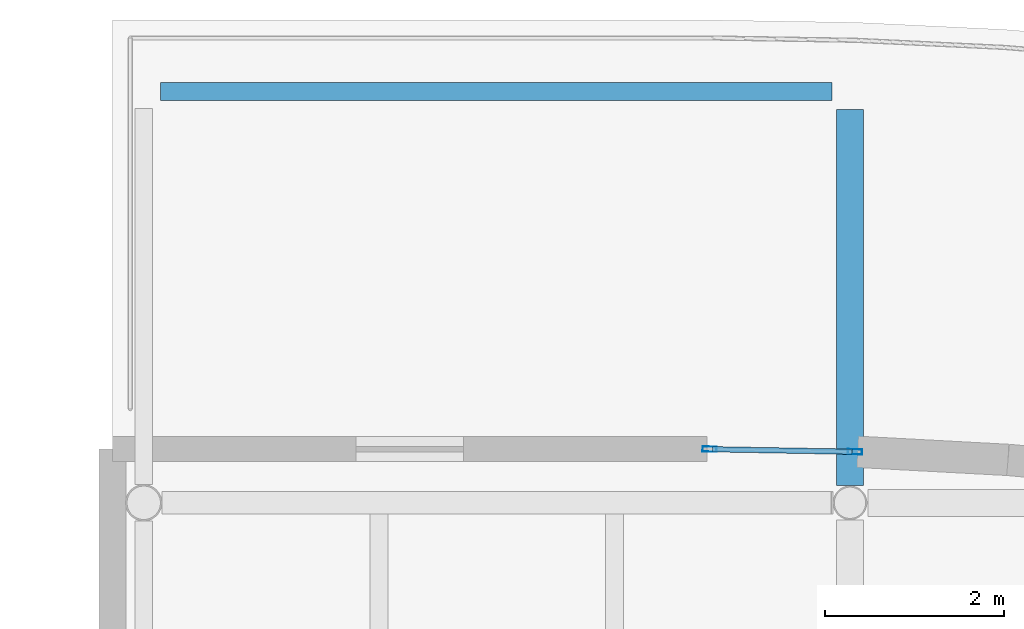
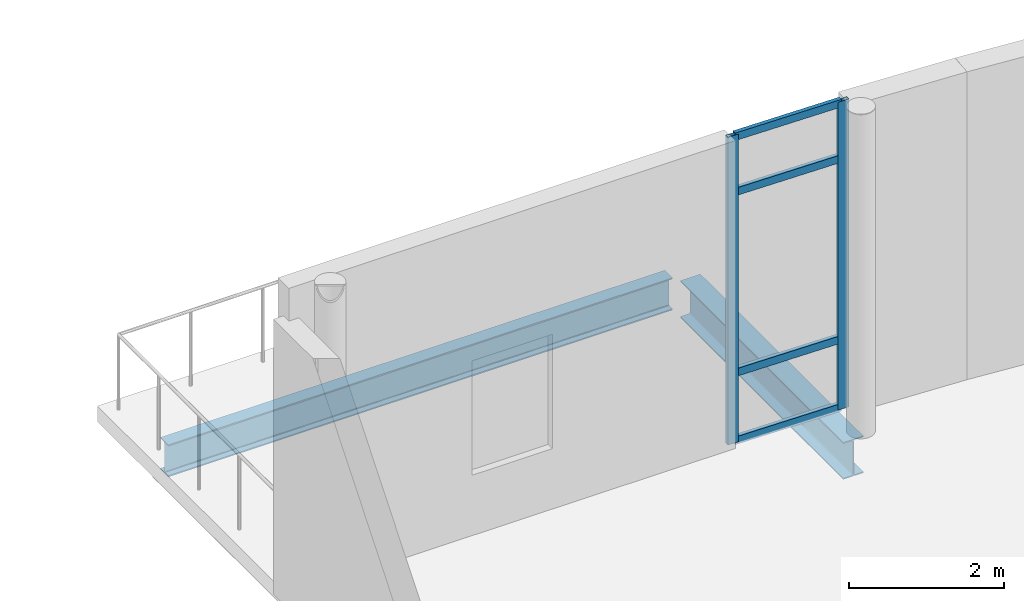
# One storey, part 36 of 103: 6 members, 2 beams, 1 element without a shape of its own.
"""IFC4 building model written with IfcOpenShell, lengths in metres."""

from ifc_helpers import new_model, si_unit, direction, frame, origin, origin_2d, place, context, subcontext, project, spatial, hollow_rectangle, i_section, extrude, material, layer, layer_set, material_profile, profile_set, type_object, element, aggregate, save


model = new_model("IFC4")

# Units and contexts
model_context = context("Model", 3, precision=1e-05, world=origin(), true_north=direction((0.0, 1.0)))
body_context = subcontext(model_context, "Body", "Model", "MODEL_VIEW")
ifc_project = project(units=[si_unit("LENGTHUNIT", "METRE"), si_unit("AREAUNIT", "SQUARE_METRE"), si_unit("VOLUMEUNIT", "CUBIC_METRE"), si_unit("PLANEANGLEUNIT", "RADIAN"), si_unit("MASSUNIT", "GRAM", prefix="KILO"), si_unit("THERMODYNAMICTEMPERATUREUNIT", "KELVIN")], contexts=[model_context])

# Site, building, storey
site_placement = place(None, origin())
site = spatial("IfcSite", under=ifc_project, at=site_placement, CompositionType="ELEMENT")
building_placement = place(site_placement, origin())
building = spatial("IfcBuilding", under=site, at=building_placement, Name="Lustrewick Department Store", CompositionType="ELEMENT")
storey_placement = place(building_placement, frame((0.0, 0.0, 16.5)))
storey = spatial("IfcBuildingStorey", under=building, at=storey_placement, Name="L04", CompositionType="ELEMENT", Elevation=16.5)

# Curtain wall, members
ifc_material_1 = material(Name="Thermally broken aluminium 6063-T5", Category="aluminium")
ifc_layer = layer(ifc_material_1, 0.159912109375, Name="Thermally broken aluminium 6063-T5")
ifc_layer_set = layer_set([ifc_layer], Name="Thermally broken aluminium 6063-T5")
curtain_wall_type = type_object("IfcCurtainWallType", Name="CW13", PredefinedType="NOTDEFINED", material=ifc_layer_set)
curtain_wall_placement = place(storey_placement, origin())
curtain_wall = element("IfcCurtainWall", 1, at=curtain_wall_placement, inside=storey, type_object=curtain_wall_type, Name="L04 V4 Curtain Wall CW13", PredefinedType="NOTDEFINED")
ifc_material_profile_1 = material_profile(ifc_material_1, hollow_rectangle(XDim=0.06005859375, YDim=0.159912109375, WallThickness=0.00390625, at=origin_2d()), Name="ALU-M 60x160x4")
ifc_profile_set_1 = profile_set([ifc_material_profile_1], Name="Thermally broken aluminium 6063-T5")
member_type_1 = type_object("IfcMemberType", Name="CW13-M1", PredefinedType="MULLION", material=ifc_profile_set_1)
member_1_placement = place(storey_placement, frame((117.65478515625, 106.7705078125, 0.0), z_axis=(0.0, 0.0, 1.0), x_axis=(-0.017863831485, -0.999840429031, 0.0)))
member_1 = element("IfcMember", 2, at=member_1_placement, type_object=member_type_1, Name="CW13 mullion 1", PredefinedType="MULLION", context=body_context, shape_type="SweptSolid", body=[
    extrude(hollow_rectangle(XDim=0.06005859375, YDim=0.159912109375, WallThickness=0.00390625, at=origin_2d()), origin(), (0.0, 0.0, 1.0), 4.844970703125),
])
member_2_placement = place(storey_placement, frame((116.030029296875, 106.799560546875, 0.0), z_axis=(0.0, 0.0, 1.0), x_axis=(-0.017863831485, -0.999840429031, 0.0)))
member_2 = element("IfcMember", 3, at=member_2_placement, type_object=member_type_1, Name="CW13 mullion 2", PredefinedType="MULLION", context=body_context, shape_type="SweptSolid", body=[
    extrude(hollow_rectangle(XDim=0.06005859375, YDim=0.159912109375, WallThickness=0.00390625, at=origin_2d()), origin(), (0.0, 0.0, 1.0), 4.844970703125),
])
ifc_material_profile_2 = material_profile(ifc_material_1, hollow_rectangle(XDim=0.06005859375, YDim=0.1201171875, WallThickness=0.00341796875, at=origin_2d()), Name="ALU-T 60x120x3.5")
ifc_profile_set_2 = profile_set([ifc_material_profile_2], Name="Thermally broken aluminium 6063-T5")
member_type_2 = type_object("IfcMemberType", Name="CW13-T1", PredefinedType="USERDEFINED", material=ifc_profile_set_2)
member_3_placement = place(storey_placement, frame((117.624755859375, 106.77099609375, 0.030029296875), z_axis=(-0.999841840194, 0.017784673082, 0.0), x_axis=(-0.017784673082, -0.999841840194, 0.0)))
member_3 = element("IfcMember", 4, at=member_3_placement, type_object=member_type_2, Name="CW13 transom 1.1", ObjectType="TRANSOM", PredefinedType="USERDEFINED", context=body_context, shape_type="SweptSolid", body=[
    extrude(hollow_rectangle(XDim=0.06005859375, YDim=0.1201171875, WallThickness=0.00341796875, at=origin_2d()), origin(), (0.0, 0.0, 1.0), 1.56494140625),
])
member_4_placement = place(storey_placement, frame((117.624755859375, 106.77099609375, 1.10009765625), z_axis=(-0.999841840194, 0.017784673082, 0.0), x_axis=(-0.017784673082, -0.999841840194, 0.0)))
member_4 = element("IfcMember", 5, at=member_4_placement, type_object=member_type_2, Name="CW13 transom 1.2", ObjectType="TRANSOM", PredefinedType="USERDEFINED", context=body_context, shape_type="SweptSolid", body=[
    extrude(hollow_rectangle(XDim=0.06005859375, YDim=0.1201171875, WallThickness=0.00341796875, at=origin_2d()), origin(), (0.0, 0.0, 1.0), 1.56494140625),
])
member_5_placement = place(storey_placement, frame((117.624755859375, 106.77099609375, 3.945068359375), z_axis=(-0.999841840194, 0.017784673082, 0.0), x_axis=(-0.017784673082, -0.999841840194, 0.0)))
member_5 = element("IfcMember", 6, at=member_5_placement, type_object=member_type_2, Name="CW13 transom 1.3", ObjectType="TRANSOM", PredefinedType="USERDEFINED", context=body_context, shape_type="SweptSolid", body=[
    extrude(hollow_rectangle(XDim=0.06005859375, YDim=0.1201171875, WallThickness=0.00341796875, at=origin_2d()), origin(), (0.0, 0.0, 1.0), 1.56494140625),
])
member_6_placement = place(storey_placement, frame((117.624755859375, 106.77099609375, 4.81494140625), z_axis=(-0.999841840194, 0.017784673082, 0.0), x_axis=(-0.017784673082, -0.999841840194, 0.0)))
member_6 = element("IfcMember", 7, at=member_6_placement, type_object=member_type_2, Name="CW13 transom 1.4", ObjectType="TRANSOM", PredefinedType="USERDEFINED", context=body_context, shape_type="SweptSolid", body=[
    extrude(hollow_rectangle(XDim=0.06005859375, YDim=0.1201171875, WallThickness=0.00341796875, at=origin_2d()), origin(), (0.0, 0.0, 1.0), 1.56494140625),
])
aggregate(curtain_wall, [member_1, member_2, member_3, member_4, member_5, member_6])

# Beams
ifc_material_2 = material(Name="Structural steel Q355B", Category="steel")
ifc_material_profile_3 = material_profile(ifc_material_2, i_section(OverallWidth=0.300048828125, OverallDepth=0.58203125, WebThickness=0.011962890625, FlangeThickness=0.01708984375, FilletRadius=0.02392578125, at=origin_2d()), Name="HM 582x300x12x17")
ifc_profile_set_3 = profile_set([ifc_material_profile_3], Name="Structural steel Q355B")
beam_type_1 = type_object("IfcBeamType", Name="G12", PredefinedType="BEAM", material=ifc_profile_set_3)
beam_1_placement = place(storey_placement, frame((117.60009765625, 106.39404296875, -0.5458984375), z_axis=(0.0, 1.0, 0.0), x_axis=(-1.0, 0.0, 0.0)))
element("IfcBeam", 8, at=beam_1_placement, inside=storey, type_object=beam_type_1, Name="L04 V4 Girder G12", PredefinedType="BEAM", context=body_context, shape_type="SweptSolid", body=[
    extrude(i_section(OverallWidth=0.300048828125, OverallDepth=0.58203125, WebThickness=0.011962890625, FlangeThickness=0.01708984375, FilletRadius=0.02392578125, at=origin_2d()), origin(), (0.0, 0.0, 1.0), 4.202880859375),
])
ifc_material_profile_4 = material_profile(ifc_material_2, i_section(OverallWidth=0.200927734375, OverallDepth=0.506103515625, WebThickness=0.010986328125, FlangeThickness=0.01904296875, FilletRadius=0.01611328125, at=origin_2d()), Name="HN 506x201x11x19")
ifc_profile_set_4 = profile_set([ifc_material_profile_4], Name="Structural steel Q355B")
beam_type_2 = type_object("IfcBeamType", Name="SP01", PredefinedType="SPANDREL", material=ifc_profile_set_4)
beam_2_placement = place(storey_placement, frame((109.888427734375, 110.800048828125, -0.508056640625), z_axis=(1.0, 0.0, 0.0), x_axis=(0.0, 1.0, 0.0)))
element("IfcBeam", 9, at=beam_2_placement, inside=storey, type_object=beam_type_2, Name="L04 V4 Girder SP01", PredefinedType="SPANDREL", context=body_context, shape_type="SweptSolid", body=[
    extrude(i_section(OverallWidth=0.200927734375, OverallDepth=0.506103515625, WebThickness=0.010986328125, FlangeThickness=0.01904296875, FilletRadius=0.01611328125, at=origin_2d()), origin(), (0.0, 0.0, 1.0), 7.508544921875),
])

save(model, "model.ifc")
